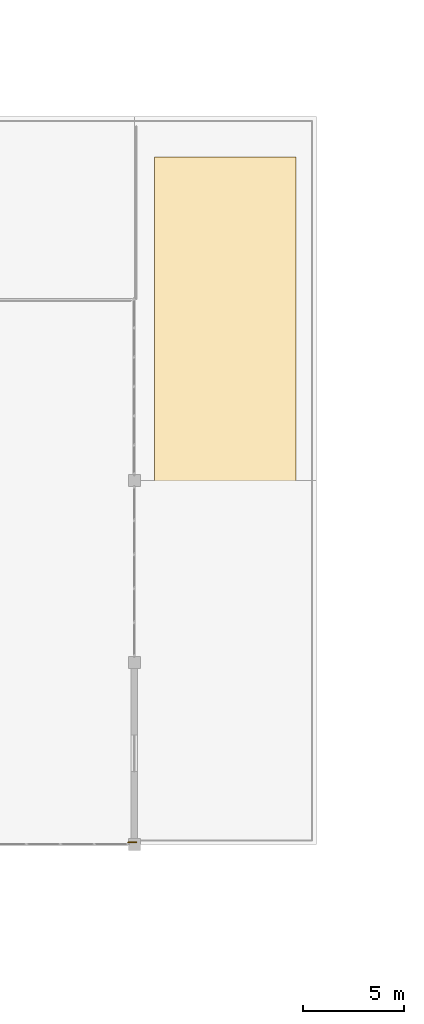
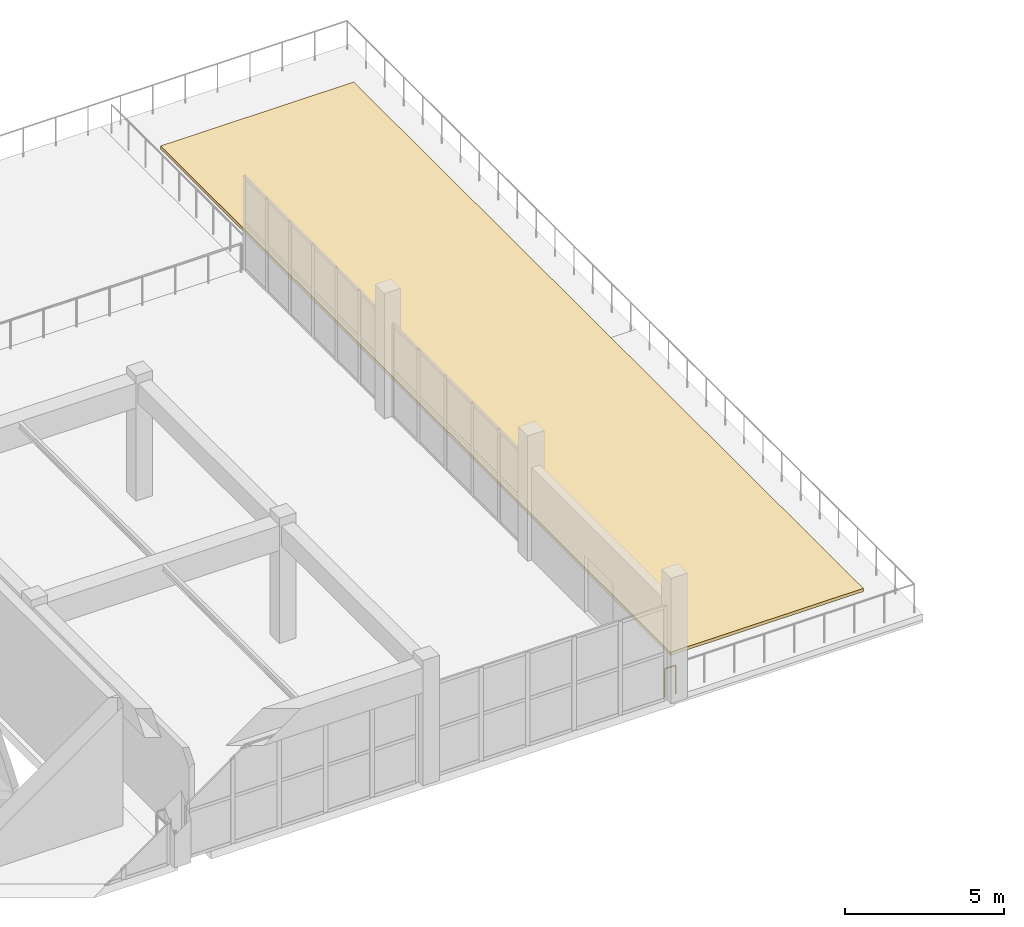
# One storey, part 86 of 89: 1 covering, 1 railing.
"""IFC4 building model written with IfcOpenShell, lengths in metres."""

from ifc_helpers import new_model, si_unit, direction, frame, origin, origin_2d, place, context, subcontext, project, spatial, polyline, circle, outline, extrude, material, layer, layer_set, type_object, element, save


model = new_model("IFC4")

# Units and contexts
model_context = context("Model", 3, precision=1e-05, world=origin(), true_north=direction((0.0, 1.0)))
body_context = subcontext(model_context, "Body", "Model", "MODEL_VIEW")
ifc_project = project(units=[si_unit("LENGTHUNIT", "METRE"), si_unit("AREAUNIT", "SQUARE_METRE"), si_unit("VOLUMEUNIT", "CUBIC_METRE"), si_unit("PLANEANGLEUNIT", "RADIAN"), si_unit("MASSUNIT", "GRAM", prefix="KILO")], contexts=[model_context])

# Site, building, storey
site_placement = place(None, origin())
site = spatial("IfcSite", under=ifc_project, at=site_placement, CompositionType="ELEMENT")
building_placement = place(site_placement, origin())
building = spatial("IfcBuilding", under=site, at=building_placement, Name="Dornveld Trade and Exhibition Forum", CompositionType="ELEMENT")
storey_placement = place(building_placement, frame((0.0, 0.0, 12.0)))
storey = spatial("IfcBuildingStorey", under=building, at=storey_placement, Name="L02", CompositionType="ELEMENT", Elevation=12.0)

# Covering
ifc_material_1 = material(Name="Planted roof-garden substrate and filter layer", Category="earth")
ifc_layer = layer(ifc_material_1, 0.1201171875)
ifc_layer_set = layer_set([ifc_layer], Name="Planted roof-garden substrate and filter layer")
covering_type = type_object("IfcCoveringType", Name="COV-ROOF-PLANT", PredefinedType="ROOFING", material=ifc_layer_set)
covering_placement = place(storey_placement, origin())
element("IfcCovering", 1, at=covering_placement, inside=storey, type_object=covering_type, Name="L02 planted xeriscape roof-garden bed 3", PredefinedType="ROOFING", context=body_context, shape_type="SweptSolid", body=[
    extrude(outline(polyline([(208.0, 110.0), (215.0, 110.0), (215.0, 142.0), (208.0, 142.0), (208.0, 110.0)])), origin(), (0.0, 0.0, 1.0), 0.1201171875),
])

# Railing
ifc_material_2 = material(Name="Dark-bronze steel and laminated glass balustrade", Category="steel")
railing_type = type_object("IfcRailingType", Name="RL-BALUST-CONC", PredefinedType="BALUSTRADE", material=ifc_material_2)
railing_placement = place(storey_placement, frame((207.10009765625, 108.10009765625, 0.0)))
element("IfcRailing", 2, at=railing_placement, inside=storey, type_object=railing_type, Name="L02 deck edge balustrade 116", PredefinedType="BALUSTRADE", context=body_context, shape_type="SweptSolid", body=[
    extrude(circle(Radius=0.02490234375, at=origin_2d()), frame((0.0, 0.0, 1.09521484375), z_axis=(-1.0, 0.0, 0.0), x_axis=(0.0, -1.0, 0.0)), (0.0, 0.0, 1.0), 0.39599609375),
    extrude(circle(Radius=0.02099609375, at=origin_2d()), origin(), (0.0, 0.0, 1.0), 1.070068359375),
    extrude(circle(Radius=0.02099609375, at=origin_2d()), frame((-0.39599609375, 0.0, 0.0)), (0.0, 0.0, 1.0), 1.070068359375),
])

save(model, "model.ifc")
